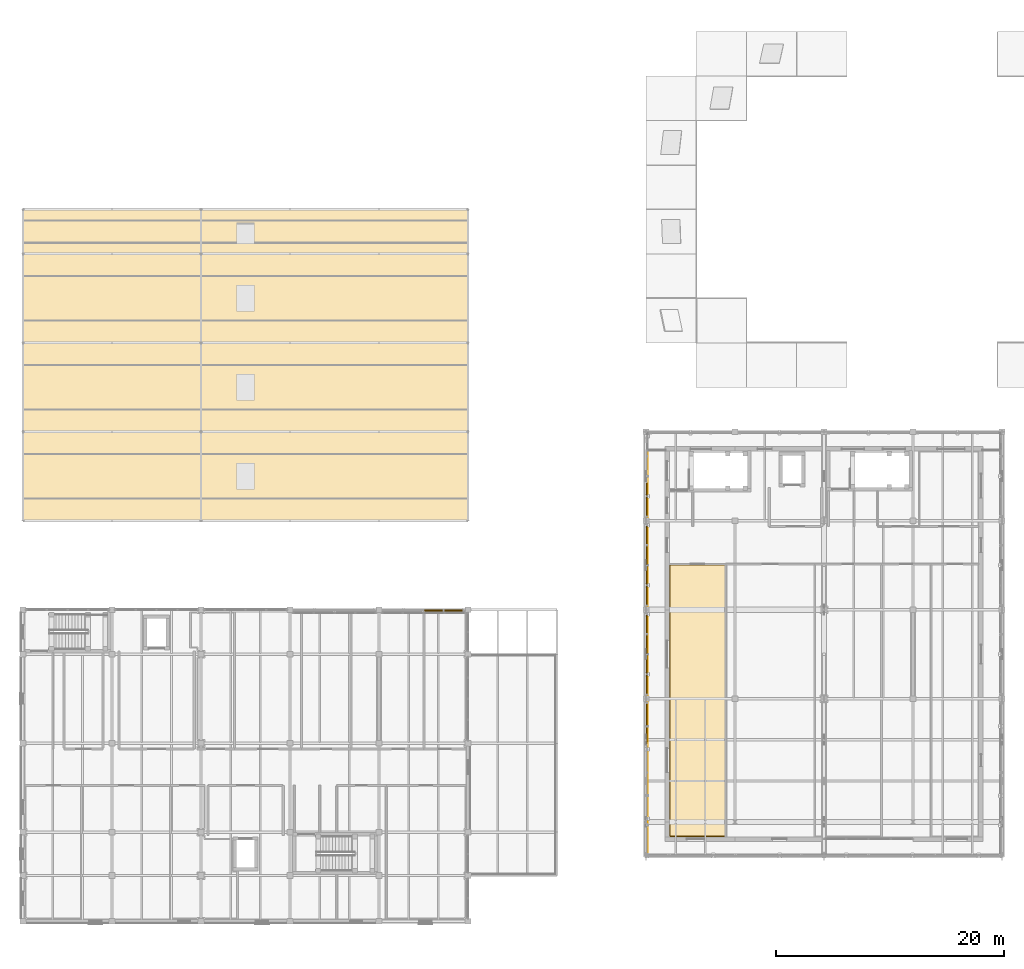
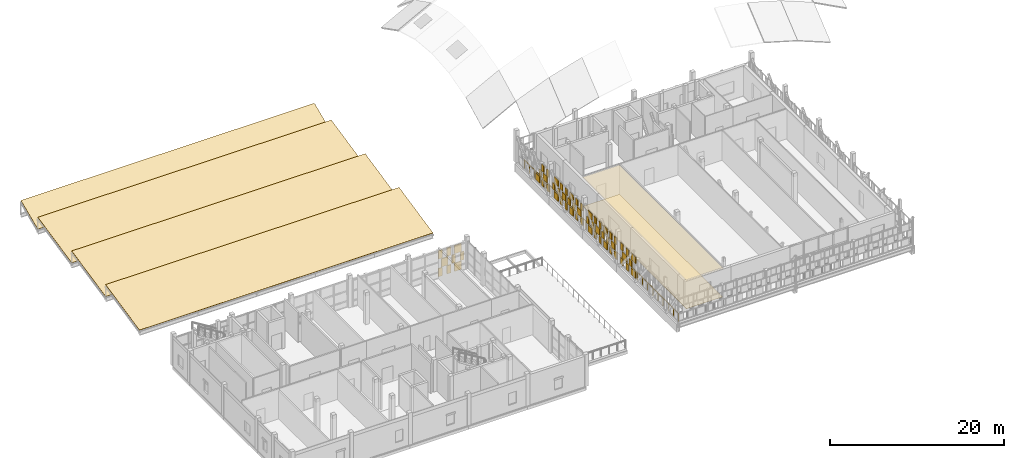
# One storey, part 77 of 89: 66 coverings, 1 railing.
"""IFC4 building model written with IfcOpenShell, lengths in metres."""

import ifcopenshell
import ifcopenshell.guid

model = None  # the IFC model being written
_history = None  # IfcOwnerHistory: only IFC2X3 demands one
_inside = {}  # id of a spatial element -> (the spatial element, [elements in it])
_under = {}  # id of a project, library or spatial element -> (it, [spatial elements below it])
_declared = {}  # id of a project -> (the project, [libraries it declares])
_typed = {}  # id of a type object -> (the type object, [elements of that type])
_made_of = {}  # id of a material, layer set ... -> (it, [elements and type objects made of it])


def new_model(schema):
    """Start an empty IFC model of exactly this schema.

    Asked for "IFC4X3", IfcOpenShell would pick the latest addendum, in which some entities
    have other attributes; the version numbers below select the first issue.
    IFC2X3 requires an IfcOwnerHistory on every rooted entity: one is made here for all.
    """
    global model, _history
    if schema == "IFC4X3":
        model = ifcopenshell.file(schema_version=(4, 3, 0, 0))
    else:
        model = ifcopenshell.file(schema=schema)
    _inside.clear()
    _under.clear()
    _declared.clear()
    _typed.clear()
    _made_of.clear()
    _history = None
    if model.schema == "IFC2X3":
        org = make("IfcOrganization", Name="unknown")
        user = make(
            "IfcPersonAndOrganization",
            ThePerson=make("IfcPerson", FamilyName="unknown"),
            TheOrganization=org,
        )
        app = make(
            "IfcApplication",
            ApplicationDeveloper=org,
            Version="unknown",
            ApplicationFullName="unknown",
            ApplicationIdentifier="unknown",
        )
        _history = make(
            "IfcOwnerHistory",
            OwningUser=user,
            OwningApplication=app,
            ChangeAction="ADDED",
            CreationDate=0,
        )
    return model


def make(cls, **values):
    """One entity of the class cls with the attributes given. An attribute that is None is left unset."""
    return model.create_entity(
        cls, **{name: value for name, value in values.items() if value is not None}
    )


def rooted(cls, **values):
    """An entity with a GlobalId (a new one), such as an element, a storey or a relation."""
    return make(cls, GlobalId=ifcopenshell.guid.new(), OwnerHistory=_history, **values)


def si_unit(unit_type, name, prefix=None):
    """IfcSIUnit, for example si_unit("LENGTHUNIT", "METRE", prefix="MILLI")."""
    return make("IfcSIUnit", UnitType=unit_type, Prefix=prefix, Name=name)


def assignment(units):
    """IfcUnitAssignment: the units of a project."""
    return None if units is None else make("IfcUnitAssignment", Units=units)


def point(xyz):
    """IfcCartesianPoint."""
    return None if xyz is None else make("IfcCartesianPoint", Coordinates=xyz)


def direction(xyz):
    """IfcDirection."""
    return None if xyz is None else make("IfcDirection", DirectionRatios=xyz)


def frame(location, z_axis=None, x_axis=None):
    """IfcAxis2Placement3D, a coordinate frame: its origin and axes. An axis left out is left unset."""
    return make(
        "IfcAxis2Placement3D",
        Location=point(location),
        Axis=direction(z_axis),
        RefDirection=direction(x_axis),
    )


def frame_2d(location, x_axis=None):
    """IfcAxis2Placement2D, a coordinate frame in the plane: its origin and x axis."""
    return make(
        "IfcAxis2Placement2D", Location=point(location), RefDirection=direction(x_axis)
    )


def origin():
    """The frame at (0, 0, 0) with its axes left unset."""
    return frame((0.0, 0.0, 0.0))


def origin_2d():
    """The frame at (0, 0) in the plane with its x axis left unset."""
    return frame_2d((0.0, 0.0))


def place(relative_to, where):
    """IfcLocalPlacement: puts the frame where relative to a parent placement (None: the world)."""
    return make(
        "IfcLocalPlacement", PlacementRelTo=relative_to, RelativePlacement=where
    )


def context(
    kind, dimensions, precision=None, world=None, true_north=None, identifier=None
):
    """IfcGeometricRepresentationContext, for example the 3D "Model" context."""
    return make(
        "IfcGeometricRepresentationContext",
        ContextIdentifier=identifier,
        ContextType=kind,
        CoordinateSpaceDimension=dimensions,
        Precision=precision,
        WorldCoordinateSystem=world,
        TrueNorth=true_north,
    )


def subcontext(parent, identifier, kind, view, scale=None):
    """IfcGeometricRepresentationSubContext, for example "Body" below "Model"."""
    return make(
        "IfcGeometricRepresentationSubContext",
        ContextIdentifier=identifier,
        ContextType=kind,
        ParentContext=parent,
        TargetScale=scale,
        TargetView=view,
    )


def project(units=None, contexts=None):
    """IfcProject with its units and contexts."""
    return rooted(
        "IfcProject",
        Name="project",
        RepresentationContexts=contexts,
        UnitsInContext=assignment(units),
    )


def spatial(cls, under=None, at=None, **own):
    """A site, building, storey or space (cls), placed at a placement, below another one or the project."""
    s = rooted(cls, ObjectPlacement=at, **own)
    if under is not None:
        _under.setdefault(under.id(), (under, []))[1].append(s)
    return s


def polyline(points):
    """IfcPolyline through the points."""
    return make("IfcPolyline", Points=[point(p) for p in points])


def profile(cls, at=None, kind="AREA", **sizes):
    """A parametric profile (cls). Its sizes go by their IFC names, for example OverallWidth=200.0."""
    return make(cls, ProfileType=kind, Position=at, **sizes)


def rectangle(**sizes):
    """IfcRectangleProfileDef."""
    return profile("IfcRectangleProfileDef", **sizes)


def circle(**sizes):
    """IfcCircleProfileDef."""
    return profile("IfcCircleProfileDef", **sizes)


def outline(outer, holes=None, kind="AREA"):
    """IfcArbitraryClosedProfileDef: a profile drawn as a closed curve; with holes, ...WithVoids."""
    if holes is None:
        return make("IfcArbitraryClosedProfileDef", ProfileType=kind, OuterCurve=outer)
    return make(
        "IfcArbitraryProfileDefWithVoids",
        ProfileType=kind,
        OuterCurve=outer,
        InnerCurves=holes,
    )


def extrude(swept, where, along, depth):
    """IfcExtrudedAreaSolid: the profile swept, set in the frame where, extruded along a direction by depth."""
    return make(
        "IfcExtrudedAreaSolid",
        SweptArea=swept,
        Position=where,
        ExtrudedDirection=direction(along),
        Depth=depth,
    )


def shape(context_of_items, identifier, shape_type, items):
    """IfcShapeRepresentation: the items that make up one representation, for example the "Body"."""
    return make(
        "IfcShapeRepresentation",
        ContextOfItems=context_of_items,
        RepresentationIdentifier=identifier,
        RepresentationType=shape_type,
        Items=items,
    )


def material(Name=None, Category=None):
    """IfcMaterial."""
    return make("IfcMaterial", Name=Name, Category=Category)


def layer(
    of_material, thickness, ventilated=None, Name=None, Category=None, Priority=None
):
    """IfcMaterialLayer: one layer of a wall or slab, of a material (None: an air gap)."""
    return make(
        "IfcMaterialLayer",
        Material=of_material,
        LayerThickness=thickness,
        IsVentilated=ventilated,
        Name=Name,
        Category=Category,
        Priority=Priority,
    )


def layer_set(layers, Name=None):
    """IfcMaterialLayerSet."""
    return make("IfcMaterialLayerSet", MaterialLayers=layers, LayerSetName=Name)


def made_of(thing, what):
    """Note that an element or type object is made of a material, layer set ...; save() writes the relation."""
    if what is not None:
        _made_of.setdefault(what.id(), (what, []))[1].append(thing)
    return thing


def type_object(cls, material=None, **own):
    """A type object (cls), such as IfcWallType, which elements share."""
    return made_of(rooted(cls, **own), material)


def element(
    cls,
    number,
    at=None,
    inside=None,
    cuts=None,
    type_object=None,
    material=None,
    context=None,
    identifier="Body",
    shape_type=None,
    held_by="IfcProductDefinitionShape",
    body=None,
    shapes=None,
    **own,
):
    """One element of the class cls, such as IfcWall. Its Tag is "e" and its number.

    at: its placement. inside: the storey or other place that contains it. cuts: it is an
    opening in that element (IfcRelVoidsElement). A single representation is given by context,
    identifier, shape_type and body (its items); several are given by shapes. held_by: the class
    of the entity that holds the representations. save() writes the other relations.
    """
    e = rooted(cls, Tag="e%d" % number, ObjectPlacement=at, **own)
    if body is not None:
        shapes = [shape(context, identifier, shape_type, body)]
    if shapes is not None:
        e.Representation = make(held_by, Representations=shapes)
    if inside is not None:
        _inside.setdefault(inside.id(), (inside, []))[1].append(e)
    if cuts is not None:
        rooted(
            "IfcRelVoidsElement", RelatingBuildingElement=cuts, RelatedOpeningElement=e
        )
    if type_object is not None:
        _typed.setdefault(type_object.id(), (type_object, []))[1].append(e)
    return made_of(e, material)


def aggregate(whole, parts):
    """IfcRelAggregates: a whole, such as a stair, and the parts it consists of."""
    return rooted("IfcRelAggregates", RelatingObject=whole, RelatedObjects=parts)


def save(model, path):
    """Write the relations noted so far, then the file.

    IfcRelAggregates (storeys below a building ...), IfcRelContainedInSpatialStructure (elements
    in a storey), IfcRelDefinesByType, IfcRelAssociatesMaterial and IfcRelDeclares: one each for
    every whole, place, type object, material and project.
    """
    for whole, parts in _under.values():
        aggregate(whole, parts)
    for where, things in _inside.values():
        rooted(
            "IfcRelContainedInSpatialStructure",
            RelatedElements=things,
            RelatingStructure=where,
        )
    for kind, things in _typed.values():
        rooted("IfcRelDefinesByType", RelatedObjects=things, RelatingType=kind)
    for what, things in _made_of.values():
        rooted("IfcRelAssociatesMaterial", RelatedObjects=things, RelatingMaterial=what)
    for by, libraries in _declared.values():
        rooted("IfcRelDeclares", RelatingContext=by, RelatedDefinitions=libraries)
    model.write(path)


model = new_model("IFC4")

# Units and contexts
model_context = context("Model", 3, precision=1e-05, world=origin(), true_north=direction((0.0, 1.0)))
body_context = subcontext(model_context, "Body", "Model", "MODEL_VIEW")
ifc_project = project(units=[si_unit("LENGTHUNIT", "METRE"), si_unit("AREAUNIT", "SQUARE_METRE"), si_unit("VOLUMEUNIT", "CUBIC_METRE"), si_unit("PLANEANGLEUNIT", "RADIAN"), si_unit("MASSUNIT", "GRAM", prefix="KILO")], contexts=[model_context])

# Site, building, storey
site_placement = place(None, origin())
site = spatial("IfcSite", under=ifc_project, at=site_placement, CompositionType="ELEMENT")
building_placement = place(site_placement, origin())
building = spatial("IfcBuilding", under=site, at=building_placement, Name="Celorna Specialist Clinic", CompositionType="ELEMENT")
storey_placement = place(building_placement, frame((0.0, 0.0, 14.10009765625)))
storey = spatial("IfcBuildingStorey", under=building, at=storey_placement, Name="L03", CompositionType="ELEMENT", Elevation=14.10009765625)

# Railing
ifc_material_1 = material(Name="Stainless steel and laminated glass balustrade", Category="steel")
railing_type = type_object("IfcRailingType", Name="BL-01", PredefinedType="BALUSTRADE", material=ifc_material_1)
railing_placement = place(storey_placement, frame((54.719970703125, 5.820068359375, 0.0)))
element("IfcRailing", 1, at=railing_placement, inside=storey, type_object=railing_type, Name="Research Wing Cantilever Veranda L03 perimeter balustrade 1", PredefinedType="BALUSTRADE", context=body_context, shape_type="SweptSolid", body=[
    extrude(circle(Radius=0.02392578125, at=origin_2d()), frame((0.0, 0.0, 1.09619140625), z_axis=(0.0, 1.0, 0.0), x_axis=(-1.0, 0.0, 0.0)), (0.0, 0.0, 1.0), 35.4599609375),
    extrude(circle(Radius=0.02099609375, at=origin_2d()), origin(), (0.0, 0.0, 1.0), 1.072021484375),
    extrude(circle(Radius=0.02099609375, at=origin_2d()), frame((0.0, 1.181884765625, 0.0)), (0.0, 0.0, 1.0), 1.072021484375),
    extrude(circle(Radius=0.02099609375, at=origin_2d()), frame((0.0, 2.364013671875, 0.0)), (0.0, 0.0, 1.0), 1.072021484375),
    extrude(circle(Radius=0.02099609375, at=origin_2d()), frame((0.0, 3.5458984375, 0.0)), (0.0, 0.0, 1.0), 1.072021484375),
    extrude(circle(Radius=0.02099609375, at=origin_2d()), frame((0.0, 4.72802734375, 0.0)), (0.0, 0.0, 1.0), 1.072021484375),
    extrude(circle(Radius=0.02099609375, at=origin_2d()), frame((0.0, 5.909912109375, 0.0)), (0.0, 0.0, 1.0), 1.072021484375),
    extrude(circle(Radius=0.02099609375, at=origin_2d()), frame((0.0, 7.092041015625, 0.0)), (0.0, 0.0, 1.0), 1.072021484375),
    extrude(circle(Radius=0.02099609375, at=origin_2d()), frame((0.0, 8.27392578125, 0.0)), (0.0, 0.0, 1.0), 1.072021484375),
    extrude(circle(Radius=0.02099609375, at=origin_2d()), frame((0.0, 9.4560546875, 0.0)), (0.0, 0.0, 1.0), 1.072021484375),
    extrude(circle(Radius=0.02099609375, at=origin_2d()), frame((0.0, 10.637939453125, 0.0)), (0.0, 0.0, 1.0), 1.072021484375),
    extrude(circle(Radius=0.02099609375, at=origin_2d()), frame((0.0, 11.820068359375, 0.0)), (0.0, 0.0, 1.0), 1.072021484375),
    extrude(circle(Radius=0.02099609375, at=origin_2d()), frame((0.0, 13.001953125, 0.0)), (0.0, 0.0, 1.0), 1.072021484375),
    extrude(circle(Radius=0.02099609375, at=origin_2d()), frame((0.0, 14.18408203125, 0.0)), (0.0, 0.0, 1.0), 1.072021484375),
    extrude(circle(Radius=0.02099609375, at=origin_2d()), frame((0.0, 15.365966796875, 0.0)), (0.0, 0.0, 1.0), 1.072021484375),
    extrude(circle(Radius=0.02099609375, at=origin_2d()), frame((0.0, 16.548095703125, 0.0)), (0.0, 0.0, 1.0), 1.072021484375),
    extrude(circle(Radius=0.02099609375, at=origin_2d()), frame((0.0, 17.72998046875, 0.0)), (0.0, 0.0, 1.0), 1.072021484375),
    extrude(circle(Radius=0.02099609375, at=origin_2d()), frame((0.0, 18.911865234375, 0.0)), (0.0, 0.0, 1.0), 1.072021484375),
    extrude(circle(Radius=0.02099609375, at=origin_2d()), frame((0.0, 20.093994140625, 0.0)), (0.0, 0.0, 1.0), 1.072021484375),
    extrude(circle(Radius=0.02099609375, at=origin_2d()), frame((0.0, 21.27587890625, 0.0)), (0.0, 0.0, 1.0), 1.072021484375),
    extrude(circle(Radius=0.02099609375, at=origin_2d()), frame((0.0, 22.4580078125, 0.0)), (0.0, 0.0, 1.0), 1.072021484375),
    extrude(circle(Radius=0.02099609375, at=origin_2d()), frame((0.0, 23.639892578125, 0.0)), (0.0, 0.0, 1.0), 1.072021484375),
    extrude(circle(Radius=0.02099609375, at=origin_2d()), frame((0.0, 24.822021484375, 0.0)), (0.0, 0.0, 1.0), 1.072021484375),
    extrude(circle(Radius=0.02099609375, at=origin_2d()), frame((0.0, 26.00390625, 0.0)), (0.0, 0.0, 1.0), 1.072021484375),
    extrude(circle(Radius=0.02099609375, at=origin_2d()), frame((0.0, 27.18603515625, 0.0)), (0.0, 0.0, 1.0), 1.072021484375),
    extrude(circle(Radius=0.02099609375, at=origin_2d()), frame((0.0, 28.367919921875, 0.0)), (0.0, 0.0, 1.0), 1.072021484375),
    extrude(circle(Radius=0.02099609375, at=origin_2d()), frame((0.0, 29.550048828125, 0.0)), (0.0, 0.0, 1.0), 1.072021484375),
    extrude(circle(Radius=0.02099609375, at=origin_2d()), frame((0.0, 30.73193359375, 0.0)), (0.0, 0.0, 1.0), 1.072021484375),
    extrude(circle(Radius=0.02099609375, at=origin_2d()), frame((0.0, 31.9140625, 0.0)), (0.0, 0.0, 1.0), 1.072021484375),
    extrude(circle(Radius=0.02099609375, at=origin_2d()), frame((0.0, 33.095947265625, 0.0)), (0.0, 0.0, 1.0), 1.072021484375),
    extrude(circle(Radius=0.02099609375, at=origin_2d()), frame((0.0, 34.278076171875, 0.0)), (0.0, 0.0, 1.0), 1.072021484375),
    extrude(circle(Radius=0.02099609375, at=origin_2d()), frame((0.0, 35.4599609375, 0.0)), (0.0, 0.0, 1.0), 1.072021484375),
])

# Coverings
ifc_material_2 = material(Name="Hygienic acoustic mineral-fibre ceiling")
ifc_layer_1 = layer(ifc_material_2, 0.030029296875, Name="Hygienic acoustic mineral-fibre ceiling")
ifc_layer_set_1 = layer_set([ifc_layer_1], Name="Hygienic acoustic mineral-fibre ceiling")
covering_type_1 = type_object("IfcCoveringType", Name="CE-01", PredefinedType="CEILING", material=ifc_layer_set_1)
covering_1_placement = place(storey_placement, frame((0.0, 0.0, 4.02978515625)))
element("IfcCovering", 2, at=covering_1_placement, inside=storey, type_object=covering_type_1, Name="Acoustic ceiling L03-054", PredefinedType="CEILING", context=body_context, shape_type="SweptSolid", body=[
    extrude(outline(polyline([(61.60498046875, 31.31494140625), (61.60498046875, 7.375), (56.625, 7.375), (56.625, 31.31494140625), (61.60498046875, 31.31494140625)])), origin(), (0.0, 0.0, 1.0), 0.030029296875),
])
ifc_material_3 = material(Name="Perforated terracotta brick weave cladding", Category="masonry")
ifc_layer_2 = layer(ifc_material_3, 0.114990234375, Name="Perforated terracotta brick weave cladding")
ifc_layer_set_2 = layer_set([ifc_layer_2], Name="Perforated terracotta brick weave cladding")
covering_type_2 = type_object("IfcCoveringType", Name="CL-02", PredefinedType="CLADDING", material=ifc_layer_set_2)
covering_2_placement = place(storey_placement, frame((54.669921875, 16.073974609375, 0.099853515625), z_axis=(0.0, 0.0, 1.0), x_axis=(0.0, 1.0, 0.0)))
element("IfcCovering", 3, at=covering_2_placement, inside=storey, type_object=covering_type_2, Name="Woven perforated terracotta brick course #246", PredefinedType="CLADDING", context=body_context, shape_type="SweptSolid", body=[
    extrude(rectangle(XDim=1.0283203125, YDim=0.114990234375, at=origin_2d()), origin(), (0.0, 0.0, 1.0), 0.9267578125),
])
covering_3_placement = place(storey_placement, frame((54.669921875, 16.735595703125, 1.12646484375), z_axis=(0.0, 0.0, 1.0), x_axis=(0.0, 1.0, 0.0)))
element("IfcCovering", 4, at=covering_3_placement, inside=storey, type_object=covering_type_2, Name="Woven perforated terracotta brick course #248", PredefinedType="CLADDING", context=body_context, shape_type="SweptSolid", body=[
    extrude(rectangle(XDim=0.580810546875, YDim=0.114990234375, at=origin_2d()), origin(), (0.0, 0.0, 1.0), 0.926513671875),
])
covering_4_placement = place(storey_placement, frame((54.669921875, 16.073974609375, 2.1533203125), z_axis=(0.0, 0.0, 1.0), x_axis=(0.0, 1.0, 0.0)))
element("IfcCovering", 5, at=covering_4_placement, inside=storey, type_object=covering_type_2, Name="Woven perforated terracotta brick course #249", PredefinedType="CLADDING", context=body_context, shape_type="SweptSolid", body=[
    extrude(rectangle(XDim=1.0283203125, YDim=0.114990234375, at=origin_2d()), origin(), (0.0, 0.0, 1.0), 0.9267578125),
])
for number, where, z_axis, x_axis, name in (
    (6, (54.669921875, 17.436279296875, 0.099853515625), (0.0, 0.0, 1.0), (0.0, 1.0, 0.0), "Woven perforated terracotta brick course #250"),
    (7, (54.669921875, 18.759765625, 0.099853515625), (0.0, 0.0, 1.0), (0.0, 1.0, 0.0), "Woven perforated terracotta brick course #251"),
):
    element("IfcCovering", number, at=place(storey_placement, frame(where, z_axis=z_axis, x_axis=x_axis)), inside=storey, type_object=covering_type_2, Name=name, PredefinedType="CLADDING", context=body_context, shape_type="SweptSolid", body=[
        extrude(rectangle(XDim=0.580810546875, YDim=0.114990234375, at=origin_2d()), origin(), (0.0, 0.0, 1.0), 0.9267578125),
    ])
covering_5_placement = place(storey_placement, frame((54.669921875, 18.097900390625, 1.12646484375), z_axis=(0.0, 0.0, 1.0), x_axis=(0.0, 1.0, 0.0)))
element("IfcCovering", 8, at=covering_5_placement, inside=storey, type_object=covering_type_2, Name="Woven perforated terracotta brick course #252", PredefinedType="CLADDING", context=body_context, shape_type="SweptSolid", body=[
    extrude(rectangle(XDim=1.0283203125, YDim=0.114990234375, at=origin_2d()), origin(), (0.0, 0.0, 1.0), 0.926513671875),
])
for number, where, z_axis, x_axis, name in (
    (9, (54.669921875, 17.436279296875, 2.1533203125), (0.0, 0.0, 1.0), (0.0, 1.0, 0.0), "Woven perforated terracotta brick course #253"),
    (10, (54.669921875, 18.759765625, 2.1533203125), (0.0, 0.0, 1.0), (0.0, 1.0, 0.0), "Woven perforated terracotta brick course #254"),
):
    element("IfcCovering", number, at=place(storey_placement, frame(where, z_axis=z_axis, x_axis=x_axis)), inside=storey, type_object=covering_type_2, Name=name, PredefinedType="CLADDING", context=body_context, shape_type="SweptSolid", body=[
        extrude(rectangle(XDim=0.580810546875, YDim=0.114990234375, at=origin_2d()), origin(), (0.0, 0.0, 1.0), 0.9267578125),
    ])
for number, where, z_axis, x_axis, name in (
    (11, (54.669921875, 20.19921875, 0.099853515625), (0.0, 0.0, 1.0), (0.0, 1.0, 0.0), "Woven perforated terracotta brick course #255"),
    (12, (54.669921875, 21.335693359375, 0.099853515625), (0.0, 0.0, 1.0), (0.0, 1.0, 0.0), "Woven perforated terracotta brick course #256"),
):
    element("IfcCovering", number, at=place(storey_placement, frame(where, z_axis=z_axis, x_axis=x_axis)), inside=storey, type_object=covering_type_2, Name=name, PredefinedType="CLADDING", context=body_context, shape_type="SweptSolid", body=[
        extrude(rectangle(XDim=0.498779296875, YDim=0.114990234375, at=origin_2d()), origin(), (0.0, 0.0, 1.0), 0.9267578125),
    ])
covering_6_placement = place(storey_placement, frame((54.669921875, 20.767578125, 1.12646484375), z_axis=(0.0, 0.0, 1.0), x_axis=(0.0, 1.0, 0.0)))
element("IfcCovering", 13, at=covering_6_placement, inside=storey, type_object=covering_type_2, Name="Woven perforated terracotta brick course #257", PredefinedType="CLADDING", context=body_context, shape_type="SweptSolid", body=[
    extrude(rectangle(XDim=0.8828125, YDim=0.114990234375, at=origin_2d()), origin(), (0.0, 0.0, 1.0), 0.926513671875),
])
for number, where, z_axis, x_axis, name in (
    (14, (54.669921875, 20.19921875, 2.1533203125), (0.0, 0.0, 1.0), (0.0, 1.0, 0.0), "Woven perforated terracotta brick course #258"),
    (15, (54.669921875, 21.335693359375, 2.1533203125), (0.0, 0.0, 1.0), (0.0, 1.0, 0.0), "Woven perforated terracotta brick course #259"),
):
    element("IfcCovering", number, at=place(storey_placement, frame(where, z_axis=z_axis, x_axis=x_axis)), inside=storey, type_object=covering_type_2, Name=name, PredefinedType="CLADDING", context=body_context, shape_type="SweptSolid", body=[
        extrude(rectangle(XDim=0.498779296875, YDim=0.114990234375, at=origin_2d()), origin(), (0.0, 0.0, 1.0), 0.9267578125),
    ])
covering_7_placement = place(storey_placement, frame((54.669921875, 22.5224609375, 0.099853515625), z_axis=(0.0, 0.0, 1.0), x_axis=(0.0, 1.0, 0.0)))
element("IfcCovering", 16, at=covering_7_placement, inside=storey, type_object=covering_type_2, Name="Woven perforated terracotta brick course #260", PredefinedType="CLADDING", context=body_context, shape_type="SweptSolid", body=[
    extrude(rectangle(XDim=0.8828125, YDim=0.114990234375, at=origin_2d()), origin(), (0.0, 0.0, 1.0), 0.9267578125),
])
for number, where, z_axis, x_axis, name in (
    (17, (54.669921875, 21.954345703125, 1.12646484375), (0.0, 0.0, 1.0), (0.0, 1.0, 0.0), "Woven perforated terracotta brick course #261"),
    (18, (54.669921875, 23.0908203125, 1.12646484375), (0.0, 0.0, 1.0), (0.0, 1.0, 0.0), "Woven perforated terracotta brick course #262"),
):
    element("IfcCovering", number, at=place(storey_placement, frame(where, z_axis=z_axis, x_axis=x_axis)), inside=storey, type_object=covering_type_2, Name=name, PredefinedType="CLADDING", context=body_context, shape_type="SweptSolid", body=[
        extrude(rectangle(XDim=0.498779296875, YDim=0.114990234375, at=origin_2d()), origin(), (0.0, 0.0, 1.0), 0.926513671875),
    ])
covering_8_placement = place(storey_placement, frame((54.669921875, 22.5224609375, 2.1533203125), z_axis=(0.0, 0.0, 1.0), x_axis=(0.0, 1.0, 0.0)))
element("IfcCovering", 19, at=covering_8_placement, inside=storey, type_object=covering_type_2, Name="Woven perforated terracotta brick course #263", PredefinedType="CLADDING", context=body_context, shape_type="SweptSolid", body=[
    extrude(rectangle(XDim=0.8828125, YDim=0.114990234375, at=origin_2d()), origin(), (0.0, 0.0, 1.0), 0.9267578125),
])
for number, where, z_axis, x_axis, name in (
    (20, (54.669921875, 23.70947265625, 0.099853515625), (0.0, 0.0, 1.0), (0.0, 1.0, 0.0), "Woven perforated terracotta brick course #264"),
    (21, (54.669921875, 24.845703125, 0.099853515625), (0.0, 0.0, 1.0), (0.0, 1.0, 0.0), "Woven perforated terracotta brick course #265"),
):
    element("IfcCovering", number, at=place(storey_placement, frame(where, z_axis=z_axis, x_axis=x_axis)), inside=storey, type_object=covering_type_2, Name=name, PredefinedType="CLADDING", context=body_context, shape_type="SweptSolid", body=[
        extrude(rectangle(XDim=0.498779296875, YDim=0.114990234375, at=origin_2d()), origin(), (0.0, 0.0, 1.0), 0.9267578125),
    ])
covering_9_placement = place(storey_placement, frame((54.669921875, 24.277587890625, 1.12646484375), z_axis=(0.0, 0.0, 1.0), x_axis=(0.0, 1.0, 0.0)))
element("IfcCovering", 22, at=covering_9_placement, inside=storey, type_object=covering_type_2, Name="Woven perforated terracotta brick course #266", PredefinedType="CLADDING", context=body_context, shape_type="SweptSolid", body=[
    extrude(rectangle(XDim=0.8828125, YDim=0.114990234375, at=origin_2d()), origin(), (0.0, 0.0, 1.0), 0.926513671875),
])
for number, where, z_axis, x_axis, name in (
    (23, (54.669921875, 23.70947265625, 2.1533203125), (0.0, 0.0, 1.0), (0.0, 1.0, 0.0), "Woven perforated terracotta brick course #267"),
    (24, (54.669921875, 24.845703125, 2.1533203125), (0.0, 0.0, 1.0), (0.0, 1.0, 0.0), "Woven perforated terracotta brick course #268"),
):
    element("IfcCovering", number, at=place(storey_placement, frame(where, z_axis=z_axis, x_axis=x_axis)), inside=storey, type_object=covering_type_2, Name=name, PredefinedType="CLADDING", context=body_context, shape_type="SweptSolid", body=[
        extrude(rectangle(XDim=0.498779296875, YDim=0.114990234375, at=origin_2d()), origin(), (0.0, 0.0, 1.0), 0.9267578125),
    ])
covering_10_placement = place(storey_placement, frame((54.669921875, 26.032470703125, 0.099853515625), z_axis=(0.0, 0.0, 1.0), x_axis=(0.0, 1.0, 0.0)))
element("IfcCovering", 25, at=covering_10_placement, inside=storey, type_object=covering_type_2, Name="Woven perforated terracotta brick course #269", PredefinedType="CLADDING", context=body_context, shape_type="SweptSolid", body=[
    extrude(rectangle(XDim=0.8828125, YDim=0.114990234375, at=origin_2d()), origin(), (0.0, 0.0, 1.0), 0.9267578125),
])
for number, where, z_axis, x_axis, name in (
    (26, (54.669921875, 25.46435546875, 1.12646484375), (0.0, 0.0, 1.0), (0.0, 1.0, 0.0), "Woven perforated terracotta brick course #270"),
    (27, (54.669921875, 26.6005859375, 1.12646484375), (0.0, 0.0, 1.0), (0.0, 1.0, 0.0), "Woven perforated terracotta brick course #271"),
):
    element("IfcCovering", number, at=place(storey_placement, frame(where, z_axis=z_axis, x_axis=x_axis)), inside=storey, type_object=covering_type_2, Name=name, PredefinedType="CLADDING", context=body_context, shape_type="SweptSolid", body=[
        extrude(rectangle(XDim=0.498779296875, YDim=0.114990234375, at=origin_2d()), origin(), (0.0, 0.0, 1.0), 0.926513671875),
    ])
covering_11_placement = place(storey_placement, frame((54.669921875, 26.032470703125, 2.1533203125), z_axis=(0.0, 0.0, 1.0), x_axis=(0.0, 1.0, 0.0)))
element("IfcCovering", 28, at=covering_11_placement, inside=storey, type_object=covering_type_2, Name="Woven perforated terracotta brick course #272", PredefinedType="CLADDING", context=body_context, shape_type="SweptSolid", body=[
    extrude(rectangle(XDim=0.8828125, YDim=0.114990234375, at=origin_2d()), origin(), (0.0, 0.0, 1.0), 0.9267578125),
])
for number, where, z_axis, x_axis, name in (
    (29, (54.669921875, 27.999267578125, 0.099853515625), (0.0, 0.0, 1.0), (0.0, 1.0, 0.0), "Woven perforated terracotta brick course #273"),
    (30, (54.669921875, 29.1357421875, 0.099853515625), (0.0, 0.0, 1.0), (0.0, 1.0, 0.0), "Woven perforated terracotta brick course #274"),
):
    element("IfcCovering", number, at=place(storey_placement, frame(where, z_axis=z_axis, x_axis=x_axis)), inside=storey, type_object=covering_type_2, Name=name, PredefinedType="CLADDING", context=body_context, shape_type="SweptSolid", body=[
        extrude(rectangle(XDim=0.498779296875, YDim=0.114990234375, at=origin_2d()), origin(), (0.0, 0.0, 1.0), 0.9267578125),
    ])
covering_12_placement = place(storey_placement, frame((54.669921875, 28.5673828125, 1.12646484375), z_axis=(0.0, 0.0, 1.0), x_axis=(0.0, 1.0, 0.0)))
element("IfcCovering", 31, at=covering_12_placement, inside=storey, type_object=covering_type_2, Name="Woven perforated terracotta brick course #275", PredefinedType="CLADDING", context=body_context, shape_type="SweptSolid", body=[
    extrude(rectangle(XDim=0.8828125, YDim=0.114990234375, at=origin_2d()), origin(), (0.0, 0.0, 1.0), 0.926513671875),
])
for number, where, z_axis, x_axis, name in (
    (32, (54.669921875, 27.999267578125, 2.1533203125), (0.0, 0.0, 1.0), (0.0, 1.0, 0.0), "Woven perforated terracotta brick course #276"),
    (33, (54.669921875, 29.1357421875, 2.1533203125), (0.0, 0.0, 1.0), (0.0, 1.0, 0.0), "Woven perforated terracotta brick course #277"),
):
    element("IfcCovering", number, at=place(storey_placement, frame(where, z_axis=z_axis, x_axis=x_axis)), inside=storey, type_object=covering_type_2, Name=name, PredefinedType="CLADDING", context=body_context, shape_type="SweptSolid", body=[
        extrude(rectangle(XDim=0.498779296875, YDim=0.114990234375, at=origin_2d()), origin(), (0.0, 0.0, 1.0), 0.9267578125),
    ])
covering_13_placement = place(storey_placement, frame((54.669921875, 30.322509765625, 0.099853515625), z_axis=(0.0, 0.0, 1.0), x_axis=(0.0, 1.0, 0.0)))
element("IfcCovering", 34, at=covering_13_placement, inside=storey, type_object=covering_type_2, Name="Woven perforated terracotta brick course #278", PredefinedType="CLADDING", context=body_context, shape_type="SweptSolid", body=[
    extrude(rectangle(XDim=0.8828125, YDim=0.114990234375, at=origin_2d()), origin(), (0.0, 0.0, 1.0), 0.9267578125),
])
for number, where, z_axis, x_axis, name in (
    (35, (54.669921875, 29.75439453125, 1.12646484375), (0.0, 0.0, 1.0), (0.0, 1.0, 0.0), "Woven perforated terracotta brick course #279"),
    (36, (54.669921875, 30.890625, 1.12646484375), (0.0, 0.0, 1.0), (0.0, 1.0, 0.0), "Woven perforated terracotta brick course #280"),
):
    element("IfcCovering", number, at=place(storey_placement, frame(where, z_axis=z_axis, x_axis=x_axis)), inside=storey, type_object=covering_type_2, Name=name, PredefinedType="CLADDING", context=body_context, shape_type="SweptSolid", body=[
        extrude(rectangle(XDim=0.498779296875, YDim=0.114990234375, at=origin_2d()), origin(), (0.0, 0.0, 1.0), 0.926513671875),
    ])
covering_14_placement = place(storey_placement, frame((54.669921875, 30.322509765625, 2.1533203125), z_axis=(0.0, 0.0, 1.0), x_axis=(0.0, 1.0, 0.0)))
element("IfcCovering", 37, at=covering_14_placement, inside=storey, type_object=covering_type_2, Name="Woven perforated terracotta brick course #281", PredefinedType="CLADDING", context=body_context, shape_type="SweptSolid", body=[
    extrude(rectangle(XDim=0.8828125, YDim=0.114990234375, at=origin_2d()), origin(), (0.0, 0.0, 1.0), 0.9267578125),
])
for number, where, z_axis, x_axis, name in (
    (38, (54.669921875, 31.509521484375, 0.099853515625), (0.0, 0.0, 1.0), (0.0, 1.0, 0.0), "Woven perforated terracotta brick course #282"),
    (39, (54.669921875, 32.645751953125, 0.099853515625), (0.0, 0.0, 1.0), (0.0, 1.0, 0.0), "Woven perforated terracotta brick course #283"),
):
    element("IfcCovering", number, at=place(storey_placement, frame(where, z_axis=z_axis, x_axis=x_axis)), inside=storey, type_object=covering_type_2, Name=name, PredefinedType="CLADDING", context=body_context, shape_type="SweptSolid", body=[
        extrude(rectangle(XDim=0.498779296875, YDim=0.114990234375, at=origin_2d()), origin(), (0.0, 0.0, 1.0), 0.9267578125),
    ])
covering_15_placement = place(storey_placement, frame((54.669921875, 32.077392578125, 1.12646484375), z_axis=(0.0, 0.0, 1.0), x_axis=(0.0, 1.0, 0.0)))
element("IfcCovering", 40, at=covering_15_placement, inside=storey, type_object=covering_type_2, Name="Woven perforated terracotta brick course #284", PredefinedType="CLADDING", context=body_context, shape_type="SweptSolid", body=[
    extrude(rectangle(XDim=0.8828125, YDim=0.114990234375, at=origin_2d()), origin(), (0.0, 0.0, 1.0), 0.926513671875),
])
for number, where, z_axis, x_axis, name in (
    (41, (54.669921875, 31.509521484375, 2.1533203125), (0.0, 0.0, 1.0), (0.0, 1.0, 0.0), "Woven perforated terracotta brick course #285"),
    (42, (54.669921875, 32.645751953125, 2.1533203125), (0.0, 0.0, 1.0), (0.0, 1.0, 0.0), "Woven perforated terracotta brick course #286"),
):
    element("IfcCovering", number, at=place(storey_placement, frame(where, z_axis=z_axis, x_axis=x_axis)), inside=storey, type_object=covering_type_2, Name=name, PredefinedType="CLADDING", context=body_context, shape_type="SweptSolid", body=[
        extrude(rectangle(XDim=0.498779296875, YDim=0.114990234375, at=origin_2d()), origin(), (0.0, 0.0, 1.0), 0.9267578125),
    ])
covering_16_placement = place(storey_placement, frame((54.669921875, 33.83251953125, 0.099853515625), z_axis=(0.0, 0.0, 1.0), x_axis=(0.0, 1.0, 0.0)))
element("IfcCovering", 43, at=covering_16_placement, inside=storey, type_object=covering_type_2, Name="Woven perforated terracotta brick course #287", PredefinedType="CLADDING", context=body_context, shape_type="SweptSolid", body=[
    extrude(rectangle(XDim=0.8828125, YDim=0.114990234375, at=origin_2d()), origin(), (0.0, 0.0, 1.0), 0.9267578125),
])
for number, where, z_axis, x_axis, name in (
    (44, (54.669921875, 33.264404296875, 1.12646484375), (0.0, 0.0, 1.0), (0.0, 1.0, 0.0), "Woven perforated terracotta brick course #288"),
    (45, (54.669921875, 34.400634765625, 1.12646484375), (0.0, 0.0, 1.0), (0.0, 1.0, 0.0), "Woven perforated terracotta brick course #289"),
):
    element("IfcCovering", number, at=place(storey_placement, frame(where, z_axis=z_axis, x_axis=x_axis)), inside=storey, type_object=covering_type_2, Name=name, PredefinedType="CLADDING", context=body_context, shape_type="SweptSolid", body=[
        extrude(rectangle(XDim=0.498779296875, YDim=0.114990234375, at=origin_2d()), origin(), (0.0, 0.0, 1.0), 0.926513671875),
    ])
covering_17_placement = place(storey_placement, frame((54.669921875, 33.83251953125, 2.1533203125), z_axis=(0.0, 0.0, 1.0), x_axis=(0.0, 1.0, 0.0)))
element("IfcCovering", 46, at=covering_17_placement, inside=storey, type_object=covering_type_2, Name="Woven perforated terracotta brick course #290", PredefinedType="CLADDING", context=body_context, shape_type="SweptSolid", body=[
    extrude(rectangle(XDim=0.8828125, YDim=0.114990234375, at=origin_2d()), origin(), (0.0, 0.0, 1.0), 0.9267578125),
])
for number, where, z_axis, x_axis, name in (
    (47, (54.669921875, 35.79931640625, 0.099853515625), (0.0, 0.0, 1.0), (0.0, 1.0, 0.0), "Woven perforated terracotta brick course #291"),
    (48, (54.669921875, 36.935791015625, 0.099853515625), (0.0, 0.0, 1.0), (0.0, 1.0, 0.0), "Woven perforated terracotta brick course #292"),
):
    element("IfcCovering", number, at=place(storey_placement, frame(where, z_axis=z_axis, x_axis=x_axis)), inside=storey, type_object=covering_type_2, Name=name, PredefinedType="CLADDING", context=body_context, shape_type="SweptSolid", body=[
        extrude(rectangle(XDim=0.498779296875, YDim=0.114990234375, at=origin_2d()), origin(), (0.0, 0.0, 1.0), 0.9267578125),
    ])
covering_18_placement = place(storey_placement, frame((54.669921875, 36.367431640625, 1.12646484375), z_axis=(0.0, 0.0, 1.0), x_axis=(0.0, 1.0, 0.0)))
element("IfcCovering", 49, at=covering_18_placement, inside=storey, type_object=covering_type_2, Name="Woven perforated terracotta brick course #293", PredefinedType="CLADDING", context=body_context, shape_type="SweptSolid", body=[
    extrude(rectangle(XDim=0.8828125, YDim=0.114990234375, at=origin_2d()), origin(), (0.0, 0.0, 1.0), 0.926513671875),
])
for number, where, z_axis, x_axis, name in (
    (50, (54.669921875, 35.79931640625, 2.1533203125), (0.0, 0.0, 1.0), (0.0, 1.0, 0.0), "Woven perforated terracotta brick course #294"),
    (51, (54.669921875, 36.935791015625, 2.1533203125), (0.0, 0.0, 1.0), (0.0, 1.0, 0.0), "Woven perforated terracotta brick course #295"),
):
    element("IfcCovering", number, at=place(storey_placement, frame(where, z_axis=z_axis, x_axis=x_axis)), inside=storey, type_object=covering_type_2, Name=name, PredefinedType="CLADDING", context=body_context, shape_type="SweptSolid", body=[
        extrude(rectangle(XDim=0.498779296875, YDim=0.114990234375, at=origin_2d()), origin(), (0.0, 0.0, 1.0), 0.9267578125),
    ])
covering_19_placement = place(storey_placement, frame((54.669921875, 38.12255859375, 0.099853515625), z_axis=(0.0, 0.0, 1.0), x_axis=(0.0, 1.0, 0.0)))
element("IfcCovering", 52, at=covering_19_placement, inside=storey, type_object=covering_type_2, Name="Woven perforated terracotta brick course #296", PredefinedType="CLADDING", context=body_context, shape_type="SweptSolid", body=[
    extrude(rectangle(XDim=0.8828125, YDim=0.114990234375, at=origin_2d()), origin(), (0.0, 0.0, 1.0), 0.9267578125),
])
covering_20_placement = place(storey_placement, frame((54.669921875, 37.55419921875, 1.12646484375), z_axis=(0.0, 0.0, 1.0), x_axis=(0.0, 1.0, 0.0)))
element("IfcCovering", 53, at=covering_20_placement, inside=storey, type_object=covering_type_2, Name="Woven perforated terracotta brick course #297", PredefinedType="CLADDING", context=body_context, shape_type="SweptSolid", body=[
    extrude(rectangle(XDim=0.498779296875, YDim=0.114990234375, at=origin_2d()), origin(), (0.0, 0.0, 1.0), 0.926513671875),
])
for number, where, z_axis, x_axis, name in (
    (54, (35.409423828125, 27.22998046875, 0.10009765625), (0.0, 0.0, 1.0), (1.0, 0.0, 0.0), "Woven perforated terracotta brick course #1581"),
    (55, (36.545654296875, 27.22998046875, 0.10009765625), (0.0, 0.0, 1.0), (1.0, 0.0, 0.0), "Woven perforated terracotta brick course #1582"),
):
    element("IfcCovering", number, at=place(storey_placement, frame(where, z_axis=z_axis, x_axis=x_axis)), inside=storey, type_object=covering_type_2, Name=name, PredefinedType="CLADDING", context=body_context, shape_type="SweptSolid", body=[
        extrude(rectangle(XDim=0.498779296875, YDim=0.114990234375, at=origin_2d()), origin(), (0.0, 0.0, 1.0), 1.146728515625),
    ])
covering_21_placement = place(storey_placement, frame((35.9775390625, 27.22998046875, 1.3466796875), z_axis=(0.0, 0.0, 1.0), x_axis=(1.0, 0.0, 0.0)))
element("IfcCovering", 56, at=covering_21_placement, inside=storey, type_object=covering_type_2, Name="Woven perforated terracotta brick course #1583", PredefinedType="CLADDING", context=body_context, shape_type="SweptSolid", body=[
    extrude(rectangle(XDim=0.8828125, YDim=0.114990234375, at=origin_2d()), origin(), (0.0, 0.0, 1.0), 1.146484375),
])
for number, where, z_axis, x_axis, name in (
    (57, (35.409423828125, 27.22998046875, 2.59326171875), (0.0, 0.0, 1.0), (1.0, 0.0, 0.0), "Woven perforated terracotta brick course #1584"),
    (58, (36.545654296875, 27.22998046875, 2.59326171875), (0.0, 0.0, 1.0), (1.0, 0.0, 0.0), "Woven perforated terracotta brick course #1585"),
):
    element("IfcCovering", number, at=place(storey_placement, frame(where, z_axis=z_axis, x_axis=x_axis)), inside=storey, type_object=covering_type_2, Name=name, PredefinedType="CLADDING", context=body_context, shape_type="SweptSolid", body=[
        extrude(rectangle(XDim=0.498779296875, YDim=0.114990234375, at=origin_2d()), origin(), (0.0, 0.0, 1.0), 1.146728515625),
    ])
covering_22_placement = place(storey_placement, frame((37.732421875, 27.22998046875, 0.10009765625), z_axis=(0.0, 0.0, 1.0), x_axis=(1.0, 0.0, 0.0)))
element("IfcCovering", 59, at=covering_22_placement, inside=storey, type_object=covering_type_2, Name="Woven perforated terracotta brick course #1586", PredefinedType="CLADDING", context=body_context, shape_type="SweptSolid", body=[
    extrude(rectangle(XDim=0.8828125, YDim=0.114990234375, at=origin_2d()), origin(), (0.0, 0.0, 1.0), 1.146728515625),
])
for number, where, z_axis, x_axis, name in (
    (60, (37.164306640625, 27.22998046875, 1.3466796875), (0.0, 0.0, 1.0), (1.0, 0.0, 0.0), "Woven perforated terracotta brick course #1587"),
    (61, (38.300537109375, 27.22998046875, 1.3466796875), (0.0, 0.0, 1.0), (1.0, 0.0, 0.0), "Woven perforated terracotta brick course #1588"),
):
    element("IfcCovering", number, at=place(storey_placement, frame(where, z_axis=z_axis, x_axis=x_axis)), inside=storey, type_object=covering_type_2, Name=name, PredefinedType="CLADDING", context=body_context, shape_type="SweptSolid", body=[
        extrude(rectangle(XDim=0.498779296875, YDim=0.114990234375, at=origin_2d()), origin(), (0.0, 0.0, 1.0), 1.146484375),
    ])
covering_23_placement = place(storey_placement, frame((37.732421875, 27.22998046875, 2.59326171875), z_axis=(0.0, 0.0, 1.0), x_axis=(1.0, 0.0, 0.0)))
element("IfcCovering", 62, at=covering_23_placement, inside=storey, type_object=covering_type_2, Name="Woven perforated terracotta brick course #1589", PredefinedType="CLADDING", context=body_context, shape_type="SweptSolid", body=[
    extrude(rectangle(XDim=0.8828125, YDim=0.114990234375, at=origin_2d()), origin(), (0.0, 0.0, 1.0), 1.146728515625),
])
ifc_material_4 = material(Name="Seamless antimicrobial clinical vinyl and Lioz terrazzo flooring")
ifc_layer_3 = layer(ifc_material_4, 0.02001953125, Name="Seamless antimicrobial clinical vinyl and Lioz terrazzo flooring")
ifc_layer_set_3 = layer_set([ifc_layer_3], Name="Seamless antimicrobial clinical vinyl and Lioz terrazzo flooring")
covering_type_3 = type_object("IfcCoveringType", Name="FL-01", PredefinedType="FLOORING", material=ifc_layer_set_3)
covering_24_placement = place(storey_placement, origin())
element("IfcCovering", 63, at=covering_24_placement, inside=storey, type_object=covering_type_3, Name="Antimicrobial clinical flooring L03-054", PredefinedType="FLOORING", context=body_context, shape_type="SweptSolid", body=[
    extrude(outline(polyline([(56.715087890625, 31.22509765625), (61.514892578125, 31.22509765625), (61.514892578125, 7.465087890625), (56.715087890625, 7.465087890625), (56.715087890625, 31.22509765625)])), origin(), (0.0, 0.0, 1.0), 0.02001953125),
])
ifc_material_5 = material(Name="Standing-seam zinc and EPDM acoustic roofing membrane")
ifc_layer_4 = layer(ifc_material_5, 0.0400390625, Name="Standing-seam zinc and EPDM acoustic roofing membrane")
ifc_layer_set_4 = layer_set([ifc_layer_4], Name="Standing-seam zinc and EPDM acoustic roofing membrane")
covering_type_4 = type_object("IfcCoveringType", Name="RFG-01", PredefinedType="ROOFING", material=ifc_layer_set_4)
covering_25_placement = place(storey_placement, frame((0.0, 35.10009765625, 0.119873046875), z_axis=(0.0, -0.209353504322, 0.97784002282), x_axis=(1.0, 0.0, 0.0)))
element("IfcCovering", 64, at=covering_25_placement, inside=storey, type_object=covering_type_4, Name="Standing-seam zinc roofing ROOF-V2-SAW-1", PredefinedType="ROOFING", context=body_context, shape_type="SweptSolid", body=[
    extrude(outline(polyline([(0.0, 0.0), (39.0, 0.0), (39.0, 7.976565190089685), (0.0, 7.976565190089685), (0.0, 0.0)])), origin(), (0.0, 0.0, -1.0), 0.0400390625),
])
for number, where, z_axis, x_axis, name in (
    (65, (0.0, 42.89990234375, 0.119873046875), (0.0, -0.209347238768, 0.977841364241), (1.0, 0.0, 0.0), "Standing-seam zinc roofing ROOF-V2-SAW-2"),
    (66, (0.0, 50.699951171875, 0.119873046875), (0.0, -0.209347238768, 0.977841364241), (1.0, 0.0, 0.0), "Standing-seam zinc roofing ROOF-V2-SAW-3"),
):
    element("IfcCovering", number, at=place(storey_placement, frame(where, z_axis=z_axis, x_axis=x_axis)), inside=storey, type_object=covering_type_4, Name=name, PredefinedType="ROOFING", context=body_context, shape_type="SweptSolid", body=[
        extrude(outline(polyline([(0.0, 0.0), (39.0, 0.0), (39.0, 7.976803920727756), (0.0, 7.976803920727756), (0.0, 0.0)])), origin(), (0.0, 0.0, -1.0), 0.0400390625),
    ])
covering_26_placement = place(storey_placement, frame((0.0, 58.5, 0.119873046875), z_axis=(0.0, -0.393627570469, 0.919270001559), x_axis=(1.0, 0.0, 0.0)))
element("IfcCovering", 67, at=covering_26_placement, inside=storey, type_object=covering_type_4, Name="Standing-seam zinc roofing ROOF-V2-SAW-4", PredefinedType="ROOFING", context=body_context, shape_type="SweptSolid", body=[
    extrude(outline(polyline([(0.0, 0.0), (39.0, 0.0), (39.0, 4.242390524149121), (0.0, 4.242390524149121), (0.0, 0.0)])), origin(), (0.0, 0.0, -1.0), 0.0400390625),
])

save(model, "model.ifc")
